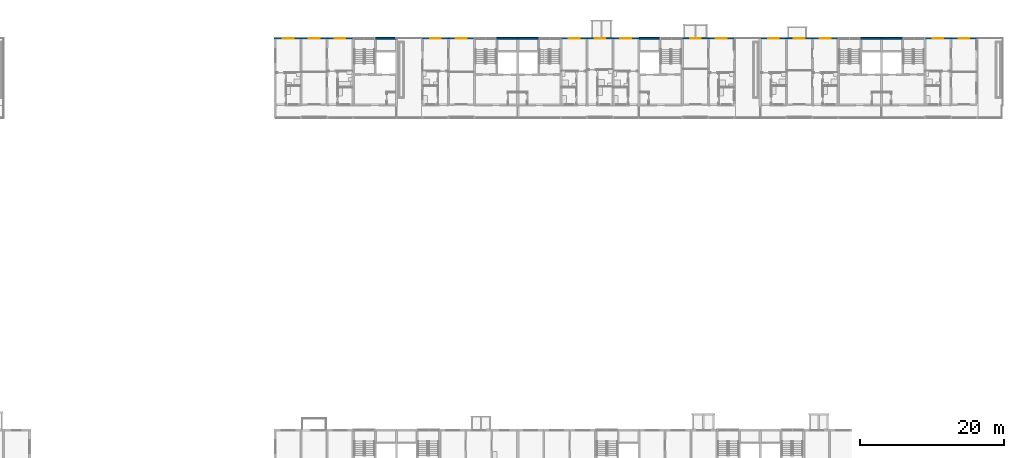
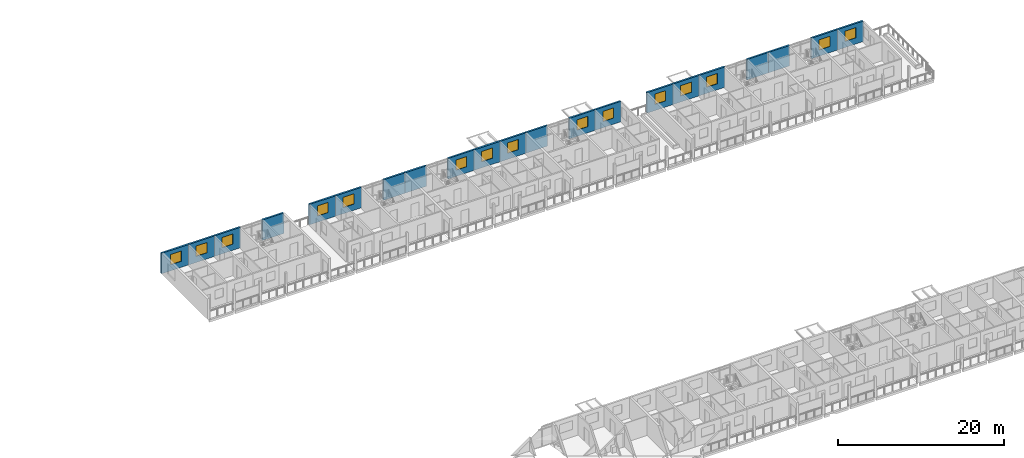
# One storey, part 57 of 94: 21 walls, 15 windows, 15 openings.
"""IFC4 building model written with IfcOpenShell, lengths in metres."""

from ifc_helpers import new_model, si_unit, direction, frame, frame_2d, origin, place, context, subcontext, project, spatial, rectangle, extrude, material, layer, layer_set, type_object, element, fill, save


model = new_model("IFC4")

# Units and contexts
model_context = context("Model", 3, precision=1e-05, world=origin(), true_north=direction((0.0, 1.0)))
body_context = subcontext(model_context, "Body", "Model", "MODEL_VIEW")
ifc_project = project(units=[si_unit("LENGTHUNIT", "METRE"), si_unit("AREAUNIT", "SQUARE_METRE"), si_unit("VOLUMEUNIT", "CUBIC_METRE"), si_unit("PLANEANGLEUNIT", "RADIAN"), si_unit("MASSUNIT", "GRAM", prefix="KILO")], contexts=[model_context])

# Site, building, storey
site_placement = place(None, origin())
site = spatial("IfcSite", under=ifc_project, at=site_placement, CompositionType="ELEMENT")
building_placement = place(site_placement, origin())
building = spatial("IfcBuilding", under=site, at=building_placement, Name="Ridgestep Commons", CompositionType="ELEMENT")
storey_placement = place(building_placement, frame((0.0, 0.0, 21.0)))
storey = spatial("IfcBuildingStorey", under=building, at=storey_placement, Name="L07", CompositionType="ELEMENT", Elevation=21.0)

# Wall, opening, window
ifc_material_1 = material(Name="Precast concrete C40/50", Category="concrete")
ifc_layer = layer(ifc_material_1, 0.25)
ifc_layer_set = layer_set([ifc_layer], Name="North facade panel 250")
wall_type = type_object("IfcWallType", Name="North facade panel 250", PredefinedType="SOLIDWALL", material=ifc_layer_set)
wall_1_placement = place(storey_placement, frame((146.64990234375, 77.125, 0.0), z_axis=(0.0, 0.0, 1.0), x_axis=(1.0, 0.0, 0.0)))
wall_1 = element("IfcWall", 1, at=wall_1_placement, inside=storey, type_object=wall_type, Name="North panel C1T1 L07", PredefinedType="SOLIDWALL", context=body_context, shape_type="SweptSolid", body=[
    extrude(rectangle(XDim=3.75, YDim=0.25, at=frame_2d((1.875, 0.0))), origin(), (0.0, 0.0, 1.0), 3.0),
])
opening_1_placement = place(wall_1_placement, frame((1.22509765625, 0.0, 0.89990234375)))
opening_1 = element("IfcOpeningElement", 2, at=opening_1_placement, cuts=wall_1, Name="Opening W16", PredefinedType="OPENING", context=body_context, shape_type="SweptSolid", body=[
    extrude(rectangle(XDim=1.5, YDim=1.5, at=frame_2d((0.75, 0.75))), frame((0.0, 0.135009765625, 0.0), z_axis=(0.0, -1.0, 0.0), x_axis=(1.0, 0.0, 0.0)), (0.0, 0.0, 1.0), 0.27001953125),
])
ifc_material_2 = material(Name="Aluminium 6063-T6 and glass", Category="aluminium")
window_type = type_object("IfcWindowType", Name="Flat window 1500 x 1500", PartitioningType="DOUBLE_PANEL_VERTICAL", PredefinedType="WINDOW", material=ifc_material_2)
window_1_placement = place(opening_1_placement, origin())
window_1 = element("IfcWindow", 3, at=window_1_placement, inside=storey, type_object=window_type, Name="Window C1-07a 2", OverallHeight=1.5, OverallWidth=1.5, PartitioningType="SINGLE_PANEL", PredefinedType="WINDOW", context=body_context, shape_type="SweptSolid", body=[
    extrude(rectangle(XDim=1.5, YDim=1.5, at=frame_2d((0.75, 0.75))), frame((0.0, -0.02490234375, 0.0), z_axis=(0.0, -1.0, 0.0), x_axis=(1.0, 0.0, 0.0)), (0.0, 0.0, 1.0), 0.06005859375),
])
fill(opening_1, window_1)

wall_2_placement = place(storey_placement, frame((150.39990234375, 77.125, 0.0), z_axis=(0.0, 0.0, 1.0), x_axis=(1.0, 0.0, 0.0)))
wall_2 = element("IfcWall", 4, at=wall_2_placement, inside=storey, type_object=wall_type, Name="North panel C1T2 L07", PredefinedType="SOLIDWALL", context=body_context, shape_type="SweptSolid", body=[
    extrude(rectangle(XDim=3.60009765625, YDim=0.25, at=frame_2d((1.800048828125, 0.0))), origin(), (0.0, 0.0, 1.0), 3.0),
])
opening_2_placement = place(wall_2_placement, frame((1.050048828125, 0.0, 0.89990234375)))
opening_2 = element("IfcOpeningElement", 5, at=opening_2_placement, cuts=wall_2, Name="Opening W16", PredefinedType="OPENING", context=body_context, shape_type="SweptSolid", body=[
    extrude(rectangle(XDim=1.5, YDim=1.5, at=frame_2d((0.75, 0.75))), frame((0.0, 0.135009765625, 0.0), z_axis=(0.0, -1.0, 0.0), x_axis=(1.0, 0.0, 0.0)), (0.0, 0.0, 1.0), 0.27001953125),
])
window_2_placement = place(opening_2_placement, origin())
window_2 = element("IfcWindow", 6, at=window_2_placement, inside=storey, type_object=window_type, Name="Window C1-07b 2", OverallHeight=1.5, OverallWidth=1.5, PartitioningType="SINGLE_PANEL", PredefinedType="WINDOW", context=body_context, shape_type="SweptSolid", body=[
    extrude(rectangle(XDim=1.5, YDim=1.5, at=frame_2d((0.75, 0.75))), frame((0.0, -0.02490234375, 0.0), z_axis=(0.0, -1.0, 0.0), x_axis=(1.0, 0.0, 0.0)), (0.0, 0.0, 1.0), 0.06005859375),
])
fill(opening_2, window_2)

wall_3_placement = place(storey_placement, frame((154.0, 77.125, 0.0), z_axis=(0.0, 0.0, 1.0), x_axis=(1.0, 0.0, 0.0)))
wall_3 = element("IfcWall", 7, at=wall_3_placement, inside=storey, type_object=wall_type, Name="North panel C1T3 L07", PredefinedType="SOLIDWALL", context=body_context, shape_type="SweptSolid", body=[
    extrude(rectangle(XDim=3.60009765625, YDim=0.25, at=frame_2d((1.800048828125, 0.0))), origin(), (0.0, 0.0, 1.0), 3.0),
])
opening_3_placement = place(wall_3_placement, frame((1.03759765625, 0.0, 0.89990234375)))
opening_3 = element("IfcOpeningElement", 8, at=opening_3_placement, cuts=wall_3, Name="Opening W16", PredefinedType="OPENING", context=body_context, shape_type="SweptSolid", body=[
    extrude(rectangle(XDim=1.5, YDim=1.5, at=frame_2d((0.75, 0.75))), frame((0.0, 0.135009765625, 0.0), z_axis=(0.0, -1.0, 0.0), x_axis=(1.0, 0.0, 0.0)), (0.0, 0.0, 1.0), 0.27001953125),
])
window_3_placement = place(opening_3_placement, origin())
window_3 = element("IfcWindow", 9, at=window_3_placement, inside=storey, type_object=window_type, Name="Window C1-07b 4", OverallHeight=1.5, OverallWidth=1.5, PartitioningType="SINGLE_PANEL", PredefinedType="WINDOW", context=body_context, shape_type="SweptSolid", body=[
    extrude(rectangle(XDim=1.5, YDim=1.5, at=frame_2d((0.75, 0.75))), frame((0.0, -0.02490234375, 0.0), z_axis=(0.0, -1.0, 0.0), x_axis=(1.0, 0.0, 0.0)), (0.0, 0.0, 1.0), 0.06005859375),
])
fill(opening_3, window_3)

# Wall
wall_4_placement = place(storey_placement, frame((160.625, 77.125, 0.0), z_axis=(0.0, 0.0, 1.0), x_axis=(1.0, 0.0, 0.0)))
element("IfcWall", 10, at=wall_4_placement, inside=storey, type_object=wall_type, Name="North panel C1C L07", PredefinedType="SOLIDWALL", context=body_context, shape_type="SweptSolid", body=[
    extrude(rectangle(XDim=2.97509765625, YDim=0.25, at=frame_2d((1.487548828125, 0.0))), origin(), (0.0, 0.0, 1.0), 3.0),
])

# Wall, opening, window
wall_5_placement = place(storey_placement, frame((167.199951171875, 77.125, 0.0), z_axis=(0.0, 0.0, 1.0), x_axis=(1.0, 0.0, 0.0)))
wall_5 = element("IfcWall", 11, at=wall_5_placement, inside=storey, type_object=wall_type, Name="North panel C2T2 L07", PredefinedType="SOLIDWALL", context=body_context, shape_type="SweptSolid", body=[
    extrude(rectangle(XDim=3.60009765625, YDim=0.25, at=frame_2d((1.800048828125, 0.0))), origin(), (0.0, 0.0, 1.0), 3.0),
])
opening_4_placement = place(wall_5_placement, frame((1.050048828125, 0.0, 0.89990234375)))
opening_4 = element("IfcOpeningElement", 12, at=opening_4_placement, cuts=wall_5, Name="Opening W16", PredefinedType="OPENING", context=body_context, shape_type="SweptSolid", body=[
    extrude(rectangle(XDim=1.5, YDim=1.5, at=frame_2d((0.75, 0.75))), frame((0.0, 0.135009765625, 0.0), z_axis=(0.0, -1.0, 0.0), x_axis=(1.0, 0.0, 0.0)), (0.0, 0.0, 1.0), 0.27001953125),
])
window_4_placement = place(opening_4_placement, origin())
window_4 = element("IfcWindow", 13, at=window_4_placement, inside=storey, type_object=window_type, Name="Window C2-07a 4", OverallHeight=1.5, OverallWidth=1.5, PartitioningType="SINGLE_PANEL", PredefinedType="WINDOW", context=body_context, shape_type="SweptSolid", body=[
    extrude(rectangle(XDim=1.5, YDim=1.5, at=frame_2d((0.75, 0.75))), frame((0.0, -0.02490234375, 0.0), z_axis=(0.0, -1.0, 0.0), x_axis=(1.0, 0.0, 0.0)), (0.0, 0.0, 1.0), 0.06005859375),
])
fill(opening_4, window_4)

wall_6_placement = place(storey_placement, frame((170.800048828125, 77.125, 0.0), z_axis=(0.0, 0.0, 1.0), x_axis=(1.0, 0.0, 0.0)))
wall_6 = element("IfcWall", 14, at=wall_6_placement, inside=storey, type_object=wall_type, Name="North panel C2T3 L07", PredefinedType="SOLIDWALL", context=body_context, shape_type="SweptSolid", body=[
    extrude(rectangle(XDim=3.599853515625, YDim=0.25, at=frame_2d((1.7998046875, 0.0))), origin(), (0.0, 0.0, 1.0), 3.0),
])
opening_5_placement = place(wall_6_placement, frame((1.03759765625, 0.0, 0.89990234375)))
opening_5 = element("IfcOpeningElement", 15, at=opening_5_placement, cuts=wall_6, Name="Opening W16", PredefinedType="OPENING", context=body_context, shape_type="SweptSolid", body=[
    extrude(rectangle(XDim=1.5, YDim=1.5, at=frame_2d((0.75, 0.75))), frame((0.0, 0.135009765625, 0.0), z_axis=(0.0, -1.0, 0.0), x_axis=(1.0, 0.0, 0.0)), (0.0, 0.0, 1.0), 0.27001953125),
])
window_5_placement = place(opening_5_placement, origin())
window_5 = element("IfcWindow", 16, at=window_5_placement, inside=storey, type_object=window_type, Name="Window C2-07a 2", OverallHeight=1.5, OverallWidth=1.5, PartitioningType="SINGLE_PANEL", PredefinedType="WINDOW", context=body_context, shape_type="SweptSolid", body=[
    extrude(rectangle(XDim=1.5, YDim=1.5, at=frame_2d((0.75, 0.75))), frame((0.0, -0.02490234375, 0.0), z_axis=(0.0, -1.0, 0.0), x_axis=(1.0, 0.0, 0.0)), (0.0, 0.0, 1.0), 0.06005859375),
])
fill(opening_5, window_5)

# Walls
wall_7_placement = place(storey_placement, frame((177.425048828125, 77.125, 0.0), z_axis=(0.0, 0.0, 1.0), x_axis=(1.0, 0.0, 0.0)))
element("IfcWall", 17, at=wall_7_placement, inside=storey, type_object=wall_type, Name="North panel C2C L07", PredefinedType="SOLIDWALL", context=body_context, shape_type="SweptSolid", body=[
    extrude(rectangle(XDim=2.974853515625, YDim=0.25, at=frame_2d((1.4873046875, 0.0))), origin(), (0.0, 0.0, 1.0), 3.0),
])
wall_8_placement = place(storey_placement, frame((180.39990234375, 77.125, 0.0), z_axis=(0.0, 0.0, 1.0), x_axis=(1.0, 0.0, 0.0)))
element("IfcWall", 18, at=wall_8_placement, inside=storey, type_object=wall_type, Name="North panel C3C L07", PredefinedType="SOLIDWALL", context=body_context, shape_type="SweptSolid", body=[
    extrude(rectangle(XDim=2.97509765625, YDim=0.25, at=frame_2d((1.487548828125, 0.0))), origin(), (0.0, 0.0, 1.0), 3.0),
])

# Wall, opening, window
wall_9_placement = place(storey_placement, frame((186.39990234375, 77.125, 0.0), z_axis=(0.0, 0.0, 1.0), x_axis=(1.0, 0.0, 0.0)))
wall_9 = element("IfcWall", 19, at=wall_9_placement, inside=storey, type_object=wall_type, Name="North panel C3T3 L07", PredefinedType="SOLIDWALL", context=body_context, shape_type="SweptSolid", body=[
    extrude(rectangle(XDim=3.60009765625, YDim=0.25, at=frame_2d((1.800048828125, 0.0))), origin(), (0.0, 0.0, 1.0), 3.0),
])
opening_6_placement = place(wall_9_placement, frame((1.0625, 0.0, 0.89990234375)))
opening_6 = element("IfcOpeningElement", 20, at=opening_6_placement, cuts=wall_9, Name="Opening W16", PredefinedType="OPENING", context=body_context, shape_type="SweptSolid", body=[
    extrude(rectangle(XDim=1.5, YDim=1.5, at=frame_2d((0.75, 0.75))), frame((0.0, 0.135009765625, 0.0), z_axis=(0.0, -1.0, 0.0), x_axis=(1.0, 0.0, 0.0)), (0.0, 0.0, 1.0), 0.27001953125),
])
window_6_placement = place(opening_6_placement, origin())
window_6 = element("IfcWindow", 21, at=window_6_placement, inside=storey, type_object=window_type, Name="Window C3-07c 2", OverallHeight=1.5, OverallWidth=1.5, PartitioningType="SINGLE_PANEL", PredefinedType="WINDOW", context=body_context, shape_type="SweptSolid", body=[
    extrude(rectangle(XDim=1.5, YDim=1.5, at=frame_2d((0.75, 0.75))), frame((0.0, -0.02490234375, 0.0), z_axis=(0.0, -1.0, 0.0), x_axis=(1.0, 0.0, 0.0)), (0.0, 0.0, 1.0), 0.06005859375),
])
fill(opening_6, window_6)

wall_10_placement = place(storey_placement, frame((190.0, 77.125, 0.0), z_axis=(0.0, 0.0, 1.0), x_axis=(1.0, 0.0, 0.0)))
wall_10 = element("IfcWall", 22, at=wall_10_placement, inside=storey, type_object=wall_type, Name="North panel C3T2 L07", PredefinedType="SOLIDWALL", context=body_context, shape_type="SweptSolid", body=[
    extrude(rectangle(XDim=3.60009765625, YDim=0.25, at=frame_2d((1.800048828125, 0.0))), origin(), (0.0, 0.0, 1.0), 3.0),
])
opening_7_placement = place(wall_10_placement, frame((1.050048828125, 0.0, 0.89990234375)))
opening_7 = element("IfcOpeningElement", 23, at=opening_7_placement, cuts=wall_10, Name="Opening W16", PredefinedType="OPENING", context=body_context, shape_type="SweptSolid", body=[
    extrude(rectangle(XDim=1.5, YDim=1.5, at=frame_2d((0.75, 0.75))), frame((0.0, 0.135009765625, 0.0), z_axis=(0.0, -1.0, 0.0), x_axis=(1.0, 0.0, 0.0)), (0.0, 0.0, 1.0), 0.27001953125),
])
window_7_placement = place(opening_7_placement, origin())
window_7 = element("IfcWindow", 24, at=window_7_placement, inside=storey, type_object=window_type, Name="Window C3-07b 2", OverallHeight=1.5, OverallWidth=1.5, PartitioningType="SINGLE_PANEL", PredefinedType="WINDOW", context=body_context, shape_type="SweptSolid", body=[
    extrude(rectangle(XDim=1.5, YDim=1.5, at=frame_2d((0.75, 0.75))), frame((0.0, -0.02490234375, 0.0), z_axis=(0.0, -1.0, 0.0), x_axis=(1.0, 0.0, 0.0)), (0.0, 0.0, 1.0), 0.06005859375),
])
fill(opening_7, window_7)

wall_11_placement = place(storey_placement, frame((193.60009765625, 77.125, 0.0), z_axis=(0.0, 0.0, 1.0), x_axis=(1.0, 0.0, 0.0)))
wall_11 = element("IfcWall", 25, at=wall_11_placement, inside=storey, type_object=wall_type, Name="North panel C3T1 L07", PredefinedType="SOLIDWALL", context=body_context, shape_type="SweptSolid", body=[
    extrude(rectangle(XDim=3.599853515625, YDim=0.25, at=frame_2d((1.7998046875, 0.0))), origin(), (0.0, 0.0, 1.0), 3.0),
])
opening_8_placement = place(wall_11_placement, frame((1.02490234375, 0.0, 0.89990234375)))
opening_8 = element("IfcOpeningElement", 26, at=opening_8_placement, cuts=wall_11, Name="Opening W16", PredefinedType="OPENING", context=body_context, shape_type="SweptSolid", body=[
    extrude(rectangle(XDim=1.5, YDim=1.5, at=frame_2d((0.75, 0.75))), frame((0.0, 0.135009765625, 0.0), z_axis=(0.0, -1.0, 0.0), x_axis=(1.0, 0.0, 0.0)), (0.0, 0.0, 1.0), 0.27001953125),
])
window_8_placement = place(opening_8_placement, origin())
window_8 = element("IfcWindow", 27, at=window_8_placement, inside=storey, type_object=window_type, Name="Window C3-07a 2", OverallHeight=1.5, OverallWidth=1.5, PartitioningType="SINGLE_PANEL", PredefinedType="WINDOW", context=body_context, shape_type="SweptSolid", body=[
    extrude(rectangle(XDim=1.5, YDim=1.5, at=frame_2d((0.75, 0.75))), frame((0.0, -0.02490234375, 0.0), z_axis=(0.0, -1.0, 0.0), x_axis=(1.0, 0.0, 0.0)), (0.0, 0.0, 1.0), 0.06005859375),
])
fill(opening_8, window_8)

# Wall
wall_12_placement = place(storey_placement, frame((197.199951171875, 77.125, 0.0), z_axis=(0.0, 0.0, 1.0), x_axis=(1.0, 0.0, 0.0)))
element("IfcWall", 28, at=wall_12_placement, inside=storey, type_object=wall_type, Name="North panel C4C L07", PredefinedType="SOLIDWALL", context=body_context, shape_type="SweptSolid", body=[
    extrude(rectangle(XDim=2.97509765625, YDim=0.25, at=frame_2d((1.487548828125, 0.0))), origin(), (0.0, 0.0, 1.0), 3.0),
])

# Wall, opening, window
wall_13_placement = place(storey_placement, frame((203.199951171875, 77.125, 0.0), z_axis=(0.0, 0.0, 1.0), x_axis=(1.0, 0.0, 0.0)))
wall_13 = element("IfcWall", 29, at=wall_13_placement, inside=storey, type_object=wall_type, Name="North panel C4T3 L07", PredefinedType="SOLIDWALL", context=body_context, shape_type="SweptSolid", body=[
    extrude(rectangle(XDim=3.60009765625, YDim=0.25, at=frame_2d((1.800048828125, 0.0))), origin(), (0.0, 0.0, 1.0), 3.0),
])
opening_9_placement = place(wall_13_placement, frame((1.0625, 0.0, 0.89990234375)))
opening_9 = element("IfcOpeningElement", 30, at=opening_9_placement, cuts=wall_13, Name="Opening W16", PredefinedType="OPENING", context=body_context, shape_type="SweptSolid", body=[
    extrude(rectangle(XDim=1.5, YDim=1.5, at=frame_2d((0.75, 0.75))), frame((0.0, 0.135009765625, 0.0), z_axis=(0.0, -1.0, 0.0), x_axis=(1.0, 0.0, 0.0)), (0.0, 0.0, 1.0), 0.27001953125),
])
window_9_placement = place(opening_9_placement, origin())
window_9 = element("IfcWindow", 31, at=window_9_placement, inside=storey, type_object=window_type, Name="Window C4-07a 2", OverallHeight=1.5, OverallWidth=1.5, PartitioningType="SINGLE_PANEL", PredefinedType="WINDOW", context=body_context, shape_type="SweptSolid", body=[
    extrude(rectangle(XDim=1.5, YDim=1.5, at=frame_2d((0.75, 0.75))), frame((0.0, -0.02490234375, 0.0), z_axis=(0.0, -1.0, 0.0), x_axis=(1.0, 0.0, 0.0)), (0.0, 0.0, 1.0), 0.06005859375),
])
fill(opening_9, window_9)

wall_14_placement = place(storey_placement, frame((206.800048828125, 77.125, 0.0), z_axis=(0.0, 0.0, 1.0), x_axis=(1.0, 0.0, 0.0)))
wall_14 = element("IfcWall", 32, at=wall_14_placement, inside=storey, type_object=wall_type, Name="North panel C4T2 L07", PredefinedType="SOLIDWALL", context=body_context, shape_type="SweptSolid", body=[
    extrude(rectangle(XDim=3.599853515625, YDim=0.25, at=frame_2d((1.7998046875, 0.0))), origin(), (0.0, 0.0, 1.0), 3.0),
])
opening_10_placement = place(wall_14_placement, frame((1.050048828125, 0.0, 0.89990234375)))
opening_10 = element("IfcOpeningElement", 33, at=opening_10_placement, cuts=wall_14, Name="Opening W16", PredefinedType="OPENING", context=body_context, shape_type="SweptSolid", body=[
    extrude(rectangle(XDim=1.5, YDim=1.5, at=frame_2d((0.75, 0.75))), frame((0.0, 0.135009765625, 0.0), z_axis=(0.0, -1.0, 0.0), x_axis=(1.0, 0.0, 0.0)), (0.0, 0.0, 1.0), 0.27001953125),
])
window_10_placement = place(opening_10_placement, origin())
window_10 = element("IfcWindow", 34, at=window_10_placement, inside=storey, type_object=window_type, Name="Window C4-07a 4", OverallHeight=1.5, OverallWidth=1.5, PartitioningType="SINGLE_PANEL", PredefinedType="WINDOW", context=body_context, shape_type="SweptSolid", body=[
    extrude(rectangle(XDim=1.5, YDim=1.5, at=frame_2d((0.75, 0.75))), frame((0.0, -0.02490234375, 0.0), z_axis=(0.0, -1.0, 0.0), x_axis=(1.0, 0.0, 0.0)), (0.0, 0.0, 1.0), 0.06005859375),
])
fill(opening_10, window_10)

wall_15_placement = place(storey_placement, frame((214.0, 77.125, 0.0), z_axis=(0.0, 0.0, 1.0), x_axis=(1.0, 0.0, 0.0)))
wall_15 = element("IfcWall", 35, at=wall_15_placement, inside=storey, type_object=wall_type, Name="North panel C5T1 L07", PredefinedType="SOLIDWALL", context=body_context, shape_type="SweptSolid", body=[
    extrude(rectangle(XDim=3.60009765625, YDim=0.25, at=frame_2d((1.800048828125, 0.0))), origin(), (0.0, 0.0, 1.0), 3.0),
])
opening_11_placement = place(wall_15_placement, frame((1.074951171875, 0.0, 0.89990234375)))
opening_11 = element("IfcOpeningElement", 36, at=opening_11_placement, cuts=wall_15, Name="Opening W16", PredefinedType="OPENING", context=body_context, shape_type="SweptSolid", body=[
    extrude(rectangle(XDim=1.5, YDim=1.5, at=frame_2d((0.75, 0.75))), frame((0.0, 0.135009765625, 0.0), z_axis=(0.0, -1.0, 0.0), x_axis=(1.0, 0.0, 0.0)), (0.0, 0.0, 1.0), 0.27001953125),
])
window_11_placement = place(opening_11_placement, origin())
window_11 = element("IfcWindow", 37, at=window_11_placement, inside=storey, type_object=window_type, Name="Window C5-07a 2", OverallHeight=1.5, OverallWidth=1.5, PartitioningType="SINGLE_PANEL", PredefinedType="WINDOW", context=body_context, shape_type="SweptSolid", body=[
    extrude(rectangle(XDim=1.5, YDim=1.5, at=frame_2d((0.75, 0.75))), frame((0.0, -0.02490234375, 0.0), z_axis=(0.0, -1.0, 0.0), x_axis=(1.0, 0.0, 0.0)), (0.0, 0.0, 1.0), 0.06005859375),
])
fill(opening_11, window_11)

wall_16_placement = place(storey_placement, frame((217.60009765625, 77.125, 0.0), z_axis=(0.0, 0.0, 1.0), x_axis=(1.0, 0.0, 0.0)))
wall_16 = element("IfcWall", 38, at=wall_16_placement, inside=storey, type_object=wall_type, Name="North panel C5T2 L07", PredefinedType="SOLIDWALL", context=body_context, shape_type="SweptSolid", body=[
    extrude(rectangle(XDim=3.599853515625, YDim=0.25, at=frame_2d((1.7998046875, 0.0))), origin(), (0.0, 0.0, 1.0), 3.0),
])
opening_12_placement = place(wall_16_placement, frame((1.050048828125, 0.0, 0.89990234375)))
opening_12 = element("IfcOpeningElement", 39, at=opening_12_placement, cuts=wall_16, Name="Opening W16", PredefinedType="OPENING", context=body_context, shape_type="SweptSolid", body=[
    extrude(rectangle(XDim=1.5, YDim=1.5, at=frame_2d((0.75, 0.75))), frame((0.0, 0.135009765625, 0.0), z_axis=(0.0, -1.0, 0.0), x_axis=(1.0, 0.0, 0.0)), (0.0, 0.0, 1.0), 0.27001953125),
])
window_12_placement = place(opening_12_placement, origin())
window_12 = element("IfcWindow", 40, at=window_12_placement, inside=storey, type_object=window_type, Name="Window C5-07b 2", OverallHeight=1.5, OverallWidth=1.5, PartitioningType="SINGLE_PANEL", PredefinedType="WINDOW", context=body_context, shape_type="SweptSolid", body=[
    extrude(rectangle(XDim=1.5, YDim=1.5, at=frame_2d((0.75, 0.75))), frame((0.0, -0.02490234375, 0.0), z_axis=(0.0, -1.0, 0.0), x_axis=(1.0, 0.0, 0.0)), (0.0, 0.0, 1.0), 0.06005859375),
])
fill(opening_12, window_12)

wall_17_placement = place(storey_placement, frame((221.199951171875, 77.125, 0.0), z_axis=(0.0, 0.0, 1.0), x_axis=(1.0, 0.0, 0.0)))
wall_17 = element("IfcWall", 41, at=wall_17_placement, inside=storey, type_object=wall_type, Name="North panel C5T3 L07", PredefinedType="SOLIDWALL", context=body_context, shape_type="SweptSolid", body=[
    extrude(rectangle(XDim=3.60009765625, YDim=0.25, at=frame_2d((1.800048828125, 0.0))), origin(), (0.0, 0.0, 1.0), 3.0),
])
opening_13_placement = place(wall_17_placement, frame((1.03759765625, 0.0, 0.89990234375)))
opening_13 = element("IfcOpeningElement", 42, at=opening_13_placement, cuts=wall_17, Name="Opening W16", PredefinedType="OPENING", context=body_context, shape_type="SweptSolid", body=[
    extrude(rectangle(XDim=1.5, YDim=1.5, at=frame_2d((0.75, 0.75))), frame((0.0, 0.135009765625, 0.0), z_axis=(0.0, -1.0, 0.0), x_axis=(1.0, 0.0, 0.0)), (0.0, 0.0, 1.0), 0.27001953125),
])
window_13_placement = place(opening_13_placement, origin())
window_13 = element("IfcWindow", 43, at=window_13_placement, inside=storey, type_object=window_type, Name="Window C5-07b 4", OverallHeight=1.5, OverallWidth=1.5, PartitioningType="SINGLE_PANEL", PredefinedType="WINDOW", context=body_context, shape_type="SweptSolid", body=[
    extrude(rectangle(XDim=1.5, YDim=1.5, at=frame_2d((0.75, 0.75))), frame((0.0, -0.02490234375, 0.0), z_axis=(0.0, -1.0, 0.0), x_axis=(1.0, 0.0, 0.0)), (0.0, 0.0, 1.0), 0.06005859375),
])
fill(opening_13, window_13)

# Walls
wall_18_placement = place(storey_placement, frame((227.824951171875, 77.125, 0.0), z_axis=(0.0, 0.0, 1.0), x_axis=(1.0, 0.0, 0.0)))
element("IfcWall", 44, at=wall_18_placement, inside=storey, type_object=wall_type, Name="North panel C5C L07", PredefinedType="SOLIDWALL", context=body_context, shape_type="SweptSolid", body=[
    extrude(rectangle(XDim=2.97509765625, YDim=0.25, at=frame_2d((1.487548828125, 0.0))), origin(), (0.0, 0.0, 1.0), 3.0),
])
wall_19_placement = place(storey_placement, frame((230.800048828125, 77.125, 0.0), z_axis=(0.0, 0.0, 1.0), x_axis=(1.0, 0.0, 0.0)))
element("IfcWall", 45, at=wall_19_placement, inside=storey, type_object=wall_type, Name="North panel C6C L07", PredefinedType="SOLIDWALL", context=body_context, shape_type="SweptSolid", body=[
    extrude(rectangle(XDim=2.974853515625, YDim=0.25, at=frame_2d((1.4873046875, 0.0))), origin(), (0.0, 0.0, 1.0), 3.0),
])

# Wall, opening, window
wall_20_placement = place(storey_placement, frame((236.800048828125, 77.125, 0.0), z_axis=(0.0, 0.0, 1.0), x_axis=(1.0, 0.0, 0.0)))
wall_20 = element("IfcWall", 46, at=wall_20_placement, inside=storey, type_object=wall_type, Name="North panel C6T3 L07", PredefinedType="SOLIDWALL", context=body_context, shape_type="SweptSolid", body=[
    extrude(rectangle(XDim=3.599853515625, YDim=0.25, at=frame_2d((1.7998046875, 0.0))), origin(), (0.0, 0.0, 1.0), 3.0),
])
opening_14_placement = place(wall_20_placement, frame((1.0625, 0.0, 0.89990234375)))
opening_14 = element("IfcOpeningElement", 47, at=opening_14_placement, cuts=wall_20, Name="Opening W16", PredefinedType="OPENING", context=body_context, shape_type="SweptSolid", body=[
    extrude(rectangle(XDim=1.5, YDim=1.5, at=frame_2d((0.75, 0.75))), frame((0.0, 0.135009765625, 0.0), z_axis=(0.0, -1.0, 0.0), x_axis=(1.0, 0.0, 0.0)), (0.0, 0.0, 1.0), 0.27001953125),
])
window_14_placement = place(opening_14_placement, origin())
window_14 = element("IfcWindow", 48, at=window_14_placement, inside=storey, type_object=window_type, Name="Window C6-07a 4", OverallHeight=1.5, OverallWidth=1.5, PartitioningType="SINGLE_PANEL", PredefinedType="WINDOW", context=body_context, shape_type="SweptSolid", body=[
    extrude(rectangle(XDim=1.5, YDim=1.5, at=frame_2d((0.75, 0.75))), frame((0.0, -0.02490234375, 0.0), z_axis=(0.0, -1.0, 0.0), x_axis=(1.0, 0.0, 0.0)), (0.0, 0.0, 1.0), 0.06005859375),
])
fill(opening_14, window_14)

wall_21_placement = place(storey_placement, frame((240.39990234375, 77.125, 0.0), z_axis=(0.0, 0.0, 1.0), x_axis=(1.0, 0.0, 0.0)))
wall_21 = element("IfcWall", 49, at=wall_21_placement, inside=storey, type_object=wall_type, Name="North panel C6T2 L07", PredefinedType="SOLIDWALL", context=body_context, shape_type="SweptSolid", body=[
    extrude(rectangle(XDim=3.60009765625, YDim=0.25, at=frame_2d((1.800048828125, 0.0))), origin(), (0.0, 0.0, 1.0), 3.0),
])
opening_15_placement = place(wall_21_placement, frame((1.050048828125, 0.0, 0.89990234375)))
opening_15 = element("IfcOpeningElement", 50, at=opening_15_placement, cuts=wall_21, Name="Opening W16", PredefinedType="OPENING", context=body_context, shape_type="SweptSolid", body=[
    extrude(rectangle(XDim=1.5, YDim=1.5, at=frame_2d((0.75, 0.75))), frame((0.0, 0.135009765625, 0.0), z_axis=(0.0, -1.0, 0.0), x_axis=(1.0, 0.0, 0.0)), (0.0, 0.0, 1.0), 0.27001953125),
])
window_15_placement = place(opening_15_placement, origin())
window_15 = element("IfcWindow", 51, at=window_15_placement, inside=storey, type_object=window_type, Name="Window C6-07a 2", OverallHeight=1.5, OverallWidth=1.5, PartitioningType="SINGLE_PANEL", PredefinedType="WINDOW", context=body_context, shape_type="SweptSolid", body=[
    extrude(rectangle(XDim=1.5, YDim=1.5, at=frame_2d((0.75, 0.75))), frame((0.0, -0.02490234375, 0.0), z_axis=(0.0, -1.0, 0.0), x_axis=(1.0, 0.0, 0.0)), (0.0, 0.0, 1.0), 0.06005859375),
])
fill(opening_15, window_15)

save(model, "model.ifc")
